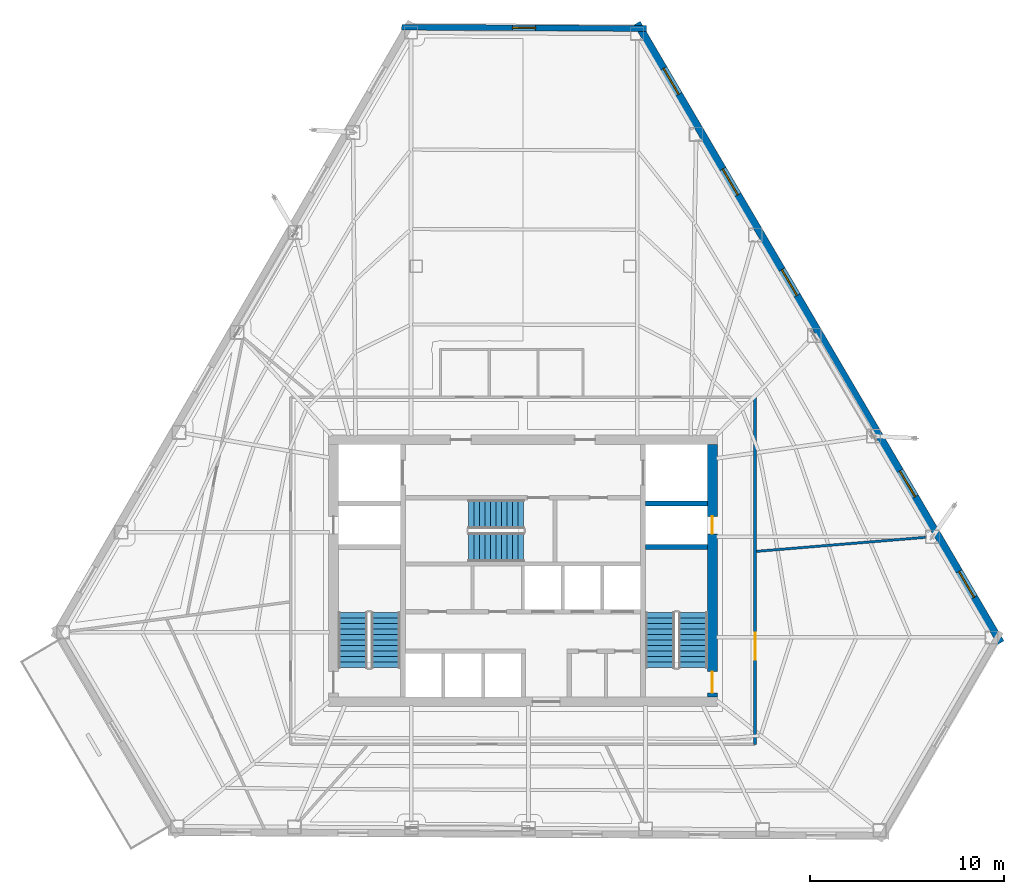
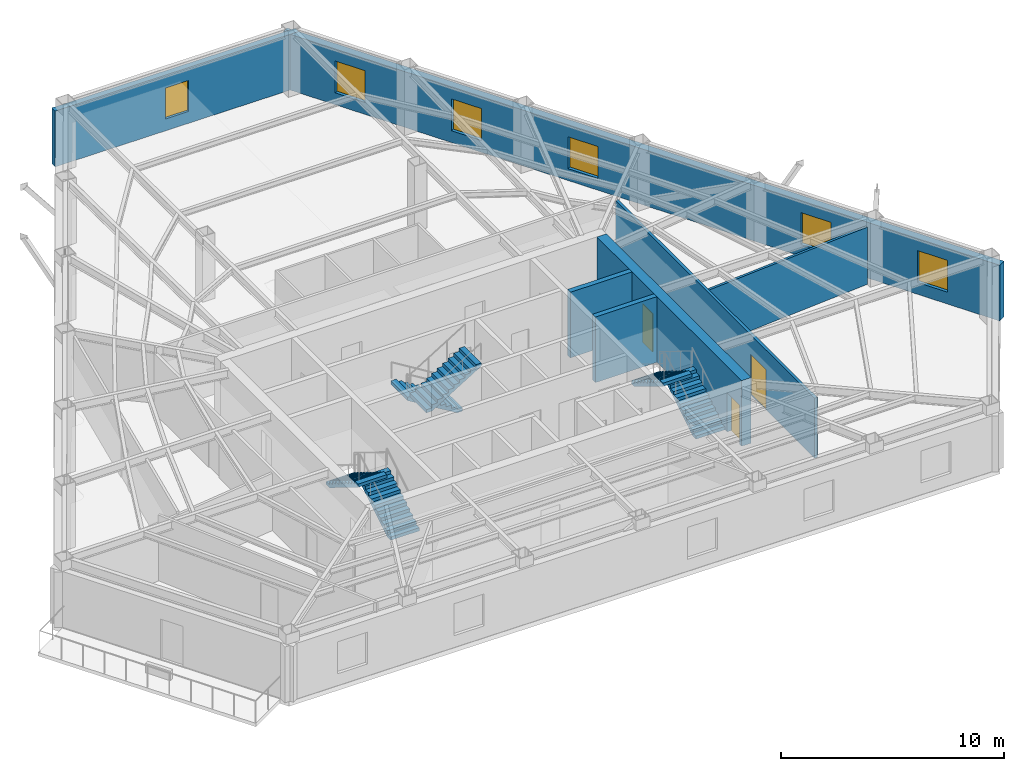
# One storey, part 9 of 13: 7 walls, 6 stair flights, 6 windows, 3 doors, 9 openings, 3 elements without a shape of their own.
"""IFC4 building model written with IfcOpenShell, lengths in metres."""

from ifc_helpers import new_model, si_unit, direction, frame, frame_2d, origin, place, context, subcontext, project, spatial, polyline, rectangle, outline, extrude, material, layer, layer_set, type_object, element, fill, aggregate, save


model = new_model("IFC4")

# Units and contexts
model_context = context("Model", 3, precision=1e-05, world=origin(), true_north=direction((0.0, 1.0)))
body_context = subcontext(model_context, "Body", "Model", "MODEL_VIEW")
ifc_project = project(units=[si_unit("LENGTHUNIT", "METRE"), si_unit("AREAUNIT", "SQUARE_METRE"), si_unit("VOLUMEUNIT", "CUBIC_METRE"), si_unit("PLANEANGLEUNIT", "RADIAN"), si_unit("MASSUNIT", "GRAM", prefix="KILO")], contexts=[model_context])

# Site, building, storey
site_placement = place(None, origin())
site = spatial("IfcSite", under=ifc_project, at=site_placement, CompositionType="ELEMENT")
building_placement = place(site_placement, origin())
building = spatial("IfcBuilding", under=site, at=building_placement, Name="Kavelnor Concourse Tower", CompositionType="ELEMENT")
storey_placement = place(building_placement, frame((0.0, 0.0, 124.0)))
storey = spatial("IfcBuildingStorey", under=building, at=storey_placement, Name="L31", CompositionType="ELEMENT", Elevation=124.0)

# Wall, openings, doors
ifc_material_1 = material(Name="Concrete C60/75", Category="concrete")
ifc_layer_1 = layer(ifc_material_1, 0.5, Name="Concrete C60/75")
ifc_layer_set_1 = layer_set([ifc_layer_1], Name="Concrete C60/75")
wall_type_1 = type_object("IfcWallType", Name="WL-CORE-Z2-500", PredefinedType="SOLIDWALL", material=ifc_layer_set_1)
wall_1_placement = place(storey_placement, frame((47.77001953125, 9.60009765625, 0.0), z_axis=(0.0, 0.0, 1.0), x_axis=(0.0, 1.0, 0.0)))
wall_1 = element("IfcWall", 1, at=wall_1_placement, inside=storey, type_object=wall_type_1, Name="L31 Central Core East Shear Wall", PredefinedType="SOLIDWALL", context=body_context, shape_type="SweptSolid", body=[
    extrude(rectangle(XDim=13.0, YDim=0.5, at=frame_2d((6.5, 0.0))), origin(), (0.0, 0.0, 1.0), 3.60009765625),
])
opening_1_placement = place(wall_1_placement, frame((0.199951171875, 0.0, 0.0)))
opening_1 = element("IfcOpeningElement", 2, at=opening_1_placement, cuts=wall_1, Name="Opening FD-110", PredefinedType="OPENING", context=body_context, shape_type="SweptSolid", body=[
    extrude(rectangle(XDim=1.10009765625, YDim=2.14990234375, at=frame_2d((0.550048828125, 1.074951171875))), frame((0.0, 0.260009765625, 0.0), z_axis=(0.0, -1.0, 0.0), x_axis=(1.0, 0.0, 0.0)), (0.0, 0.0, 1.0), 0.52001953125),
])
opening_2_placement = place(wall_1_placement, frame((8.39990234375, 0.0, 0.0)))
opening_2 = element("IfcOpeningElement", 3, at=opening_2_placement, cuts=wall_1, Name="Opening FD-090", PredefinedType="OPENING", context=body_context, shape_type="SweptSolid", body=[
    extrude(rectangle(XDim=0.89990234375, YDim=2.10009765625, at=frame_2d((0.449951171875, 1.050048828125))), frame((0.0, 0.260009765625, 0.0), z_axis=(0.0, -1.0, 0.0), x_axis=(1.0, 0.0, 0.0)), (0.0, 0.0, 1.0), 0.52001953125),
])
ifc_material_2 = material(Name="Steel Grade 350", Category="steel")
door_type_1 = type_object("IfcDoorType", Name="DR-RISER-FIRE-900", OperationType="NOTDEFINED", PredefinedType="DOOR", material=ifc_material_2)
door_1_placement = place(opening_2_placement, origin())
door_1 = element("IfcDoor", 4, at=door_1_placement, inside=storey, type_object=door_type_1, Name="L31 East Riser Access Door", OperationType="SINGLE_SWING_LEFT", OverallHeight=2.10009765625, OverallWidth=0.89990234375, PredefinedType="DOOR", context=body_context, shape_type="SweptSolid", body=[
    extrude(rectangle(XDim=0.89990234375, YDim=2.10009765625, at=frame_2d((0.449951171875, 1.050048828125))), frame((0.0, 0.02490234375, 0.0), z_axis=(0.0, -1.0, 0.0), x_axis=(1.0, 0.0, 0.0)), (0.0, 0.0, 1.0), 0.050048828125),
])
fill(opening_2, door_1)
door_type_2 = type_object("IfcDoorType", Name="DR-STAIR-FIRE-1100", OperationType="NOTDEFINED", PredefinedType="DOOR", material=ifc_material_2)
door_2_placement = place(opening_1_placement, origin())
door_2 = element("IfcDoor", 5, at=door_2_placement, inside=storey, type_object=door_type_2, Name="L31 Stair ST2 Fire Door", OperationType="SINGLE_SWING_RIGHT", OverallHeight=2.14990234375, OverallWidth=1.10009765625, PredefinedType="DOOR", context=body_context, shape_type="SweptSolid", body=[
    extrude(rectangle(XDim=1.10009765625, YDim=2.14990234375, at=frame_2d((0.550048828125, 1.074951171875))), frame((0.0, 0.02490234375, 0.0), z_axis=(0.0, -1.0, 0.0), x_axis=(1.0, 0.0, 0.0)), (0.0, 0.0, 1.0), 0.050048828125),
])
fill(opening_1, door_2)

# Wall, opening, window
ifc_material_3 = material(Name="Buff ironspot clay face brick masonry", Category="masonry")
ifc_layer_2 = layer(ifc_material_3, 0.300048828125, Name="Buff ironspot clay face brick masonry")
ifc_layer_set_2 = layer_set([ifc_layer_2], Name="Buff ironspot clay face brick masonry")
wall_type_2 = type_object("IfcWallType", Name="WL-EXT-BUFF-BRICK-FOLD-300", PredefinedType="STANDARD", material=ifc_layer_set_2)
wall_2_placement = place(storey_placement, frame((31.7490234375, 44.12646484375, 0.0), z_axis=(0.0, 0.0, 1.0), x_axis=(0.999985625996, -0.005361697542, 0.0)))
wall_2 = element("IfcWall", 6, at=wall_2_placement, inside=storey, type_object=wall_type_2, Name="L31 Exterior Brick Facade Wall E0", PredefinedType="STANDARD", context=body_context, shape_type="SweptSolid", body=[
    extrude(rectangle(XDim=12.613037109375, YDim=0.300048828125, at=frame_2d((6.306640625, 0.0))), origin(), (0.0, 0.0, 1.0), 3.05908203125),
])
opening_3_placement = place(wall_2_placement, frame((5.70654296875, 0.0, 0.64990234375)))
opening_3 = element("IfcOpeningElement", 7, at=opening_3_placement, cuts=wall_2, Name="Opening W-05", PredefinedType="OPENING", context=body_context, shape_type="SweptSolid", body=[
    extrude(rectangle(XDim=1.199951171875, YDim=1.699951171875, at=frame_2d((0.60009765625, 0.85009765625))), frame((0.0, 0.16015625, 0.0), z_axis=(0.0, -1.0, 0.0), x_axis=(1.0, 0.0, 0.0)), (0.0, 0.0, 1.0), 0.320068359375),
])
ifc_material_4 = material(Name="Double low-E argon insulated glazing", Category="glass")
window_type_1 = type_object("IfcWindowType", Name="WIN-FOLD-1200", PartitioningType="SINGLE_PANEL", PredefinedType="WINDOW", material=ifc_material_4)
window_1_placement = place(opening_3_placement, origin())
window_1 = element("IfcWindow", 8, at=window_1_placement, inside=storey, type_object=window_type_1, Name="L31 Chamfer-Fold Facet Window C0", OverallHeight=1.699951171875, OverallWidth=1.199951171875, PartitioningType="SINGLE_PANEL", PredefinedType="WINDOW", context=body_context, shape_type="SweptSolid", body=[
    extrude(rectangle(XDim=1.199951171875, YDim=1.699951171875, at=frame_2d((0.60009765625, 0.85009765625))), frame((0.0, 0.030029296875, 0.0), z_axis=(0.0, -1.0, 0.0), x_axis=(1.0, 0.0, 0.0)), (0.0, 0.0, 1.0), 0.06005859375),
])
fill(opening_3, window_1)

# Wall, openings, windows
ifc_material_5 = material(Name="Red-ochre clay face brick masonry", Category="masonry")
ifc_layer_3 = layer(ifc_material_5, 0.3798828125, Name="Red-ochre clay face brick masonry")
ifc_layer_set_3 = layer_set([ifc_layer_3], Name="Red-ochre clay face brick masonry")
wall_type_3 = type_object("IfcWallType", Name="WL-EXT-RED-BRICK-PIER-380", PredefinedType="STANDARD", material=ifc_layer_set_3)
wall_3_placement = place(storey_placement, frame((43.880615234375, 44.336181640625, 0.0), z_axis=(0.0, 0.0, 1.0), x_axis=(0.506335448268, -0.862336601234, 0.0)))
wall_3 = element("IfcWall", 9, at=wall_3_placement, inside=storey, type_object=wall_type_3, Name="L31 Exterior Brick Facade Wall E5", PredefinedType="STANDARD", context=body_context, shape_type="SweptSolid", body=[
    extrude(rectangle(XDim=37.049560546875, YDim=0.3798828125, at=frame_2d((18.52490234375, 0.0))), origin(), (0.0, 0.0, 1.0), 3.05908203125),
])
opening_4_placement = place(wall_3_placement, frame((32.786376953125, 0.0, 0.64990234375)))
opening_4 = element("IfcOpeningElement", 10, at=opening_4_placement, cuts=wall_3, Name="Opening W-02", PredefinedType="OPENING", context=body_context, shape_type="SweptSolid", body=[
    extrude(rectangle(XDim=1.550048828125, YDim=1.75, at=frame_2d((0.77490234375, 0.875))), frame((0.0, 0.199951171875, 0.0), z_axis=(0.0, -1.0, 0.0), x_axis=(1.0, 0.0, 0.0)), (0.0, 0.0, 1.0), 0.39990234375),
])
opening_5_placement = place(wall_3_placement, frame((26.770263671875, 0.0, 0.64990234375)))
opening_5 = element("IfcOpeningElement", 11, at=opening_5_placement, cuts=wall_3, Name="Opening W-02", PredefinedType="OPENING", context=body_context, shape_type="SweptSolid", body=[
    extrude(rectangle(XDim=1.550048828125, YDim=1.75, at=frame_2d((0.77490234375, 0.875))), frame((0.0, 0.199951171875, 0.0), z_axis=(0.0, -1.0, 0.0), x_axis=(1.0, 0.0, 0.0)), (0.0, 0.0, 1.0), 0.39990234375),
])
opening_6_placement = place(wall_3_placement, frame((14.73828125, 0.0, 0.64990234375)))
opening_6 = element("IfcOpeningElement", 12, at=opening_6_placement, cuts=wall_3, Name="Opening W-02", PredefinedType="OPENING", context=body_context, shape_type="SweptSolid", body=[
    extrude(rectangle(XDim=1.550048828125, YDim=1.75, at=frame_2d((0.77490234375, 0.875))), frame((0.0, 0.199951171875, 0.0), z_axis=(0.0, -1.0, 0.0), x_axis=(1.0, 0.0, 0.0)), (0.0, 0.0, 1.0), 0.39990234375),
])
opening_7_placement = place(wall_3_placement, frame((8.72216796875, 0.0, 0.64990234375)))
opening_7 = element("IfcOpeningElement", 13, at=opening_7_placement, cuts=wall_3, Name="Opening W-02", PredefinedType="OPENING", context=body_context, shape_type="SweptSolid", body=[
    extrude(rectangle(XDim=1.550048828125, YDim=1.75, at=frame_2d((0.77490234375, 0.875))), frame((0.0, 0.199951171875, 0.0), z_axis=(0.0, -1.0, 0.0), x_axis=(1.0, 0.0, 0.0)), (0.0, 0.0, 1.0), 0.39990234375),
])
opening_8_placement = place(wall_3_placement, frame((2.7060546875, 0.0, 0.64990234375)))
opening_8 = element("IfcOpeningElement", 14, at=opening_8_placement, cuts=wall_3, Name="Opening W-02", PredefinedType="OPENING", context=body_context, shape_type="SweptSolid", body=[
    extrude(rectangle(XDim=1.550048828125, YDim=1.75, at=frame_2d((0.77490234375, 0.875))), frame((0.0, 0.199951171875, 0.0), z_axis=(0.0, -1.0, 0.0), x_axis=(1.0, 0.0, 0.0)), (0.0, 0.0, 1.0), 0.39990234375),
])
window_type_2 = type_object("IfcWindowType", Name="WIN-PIER-Z2-1650", PartitioningType="SINGLE_PANEL", PredefinedType="WINDOW", material=ifc_material_4)
window_2_placement = place(opening_4_placement, origin())
window_2 = element("IfcWindow", 15, at=window_2_placement, inside=storey, type_object=window_type_2, Name="L31 Deep-Set Brick Pier Window F2-B0", OverallHeight=1.75, OverallWidth=1.550048828125, PartitioningType="SINGLE_PANEL", PredefinedType="WINDOW", context=body_context, shape_type="SweptSolid", body=[
    extrude(rectangle(XDim=1.550048828125, YDim=1.75, at=frame_2d((0.77490234375, 0.875))), frame((0.0, 0.030029296875, 0.0), z_axis=(0.0, -1.0, 0.0), x_axis=(1.0, 0.0, 0.0)), (0.0, 0.0, 1.0), 0.06005859375),
])
fill(opening_4, window_2)
window_3_placement = place(opening_5_placement, origin())
window_3 = element("IfcWindow", 16, at=window_3_placement, inside=storey, type_object=window_type_2, Name="L31 Deep-Set Brick Pier Window F2-B1", OverallHeight=1.75, OverallWidth=1.550048828125, PartitioningType="SINGLE_PANEL", PredefinedType="WINDOW", context=body_context, shape_type="SweptSolid", body=[
    extrude(rectangle(XDim=1.550048828125, YDim=1.75, at=frame_2d((0.77490234375, 0.875))), frame((0.0, 0.030029296875, 0.0), z_axis=(0.0, -1.0, 0.0), x_axis=(1.0, 0.0, 0.0)), (0.0, 0.0, 1.0), 0.06005859375),
])
fill(opening_5, window_3)
window_4_placement = place(opening_6_placement, origin())
window_4 = element("IfcWindow", 17, at=window_4_placement, inside=storey, type_object=window_type_2, Name="L31 Deep-Set Brick Pier Window F2-B3", OverallHeight=1.75, OverallWidth=1.550048828125, PartitioningType="SINGLE_PANEL", PredefinedType="WINDOW", context=body_context, shape_type="SweptSolid", body=[
    extrude(rectangle(XDim=1.550048828125, YDim=1.75, at=frame_2d((0.77490234375, 0.875))), frame((0.0, 0.030029296875, 0.0), z_axis=(0.0, -1.0, 0.0), x_axis=(1.0, 0.0, 0.0)), (0.0, 0.0, 1.0), 0.06005859375),
])
fill(opening_6, window_4)
window_5_placement = place(opening_7_placement, origin())
window_5 = element("IfcWindow", 18, at=window_5_placement, inside=storey, type_object=window_type_2, Name="L31 Deep-Set Brick Pier Window F2-B4", OverallHeight=1.75, OverallWidth=1.550048828125, PartitioningType="SINGLE_PANEL", PredefinedType="WINDOW", context=body_context, shape_type="SweptSolid", body=[
    extrude(rectangle(XDim=1.550048828125, YDim=1.75, at=frame_2d((0.77490234375, 0.875))), frame((0.0, 0.030029296875, 0.0), z_axis=(0.0, -1.0, 0.0), x_axis=(1.0, 0.0, 0.0)), (0.0, 0.0, 1.0), 0.06005859375),
])
fill(opening_7, window_5)
window_6_placement = place(opening_8_placement, origin())
window_6 = element("IfcWindow", 19, at=window_6_placement, inside=storey, type_object=window_type_2, Name="L31 Deep-Set Brick Pier Window F2-B5", OverallHeight=1.75, OverallWidth=1.550048828125, PartitioningType="SINGLE_PANEL", PredefinedType="WINDOW", context=body_context, shape_type="SweptSolid", body=[
    extrude(rectangle(XDim=1.550048828125, YDim=1.75, at=frame_2d((0.77490234375, 0.875))), frame((0.0, 0.030029296875, 0.0), z_axis=(0.0, -1.0, 0.0), x_axis=(1.0, 0.0, 0.0)), (0.0, 0.0, 1.0), 0.06005859375),
])
fill(opening_8, window_6)

# Wall, opening, door
ifc_material_6 = material(Name="Gypsum plasterboard on light-gauge steel studs", Category="steel")
ifc_layer_4 = layer(ifc_material_6, 0.14501953125, Name="Gypsum plasterboard on light-gauge steel studs")
ifc_layer_set_4 = layer_set([ifc_layer_4], Name="Gypsum plasterboard on light-gauge steel studs")
wall_type_4 = type_object("IfcWallType", Name="WL-INT-CORR-145", PredefinedType="PARTITIONING", material=ifc_layer_set_4)
wall_4_placement = place(storey_placement, frame((49.969970703125, 7.14990234375, 0.0), z_axis=(0.0, 0.0, 1.0), x_axis=(0.0, 1.0, 0.0)))
wall_4 = element("IfcWall", 20, at=wall_4_placement, inside=storey, type_object=wall_type_4, Name="L31 Corridor Wall WL-L31-CR-01", PredefinedType="PARTITIONING", context=body_context, shape_type="SweptSolid", body=[
    extrude(rectangle(XDim=17.900146484375, YDim=0.14501953125, at=frame_2d((8.9501953125, 0.0))), origin(), (0.0, 0.0, 1.0), 3.2880859375),
])
opening_9_placement = place(wall_4_placement, frame((4.360595703125, 0.0, 0.0)))
opening_9 = element("IfcOpeningElement", 21, at=opening_9_placement, cuts=wall_4, Name="Opening SD-140", PredefinedType="OPENING", context=body_context, shape_type="SweptSolid", body=[
    extrude(rectangle(XDim=1.39990234375, YDim=2.199951171875, at=frame_2d((0.699951171875, 1.10009765625))), frame((0.0, 0.08251953125, 0.0), z_axis=(0.0, -1.0, 0.0), x_axis=(1.0, 0.0, 0.0)), (0.0, 0.0, 1.0), 0.1650390625),
])
ifc_material_7 = material(Name="Solid-core hardwood timber", Category="wood")
door_type_3 = type_object("IfcDoorType", Name="DR-SUITE-ENTRY-1400", OperationType="NOTDEFINED", PredefinedType="DOOR", material=ifc_material_7)
door_3_placement = place(opening_9_placement, origin())
door_3 = element("IfcDoor", 22, at=door_3_placement, inside=storey, type_object=door_type_3, Name="L31 Workplace Open Office 07 Door", OperationType="SINGLE_SWING_LEFT", OverallHeight=2.199951171875, OverallWidth=1.39990234375, PredefinedType="DOOR", context=body_context, shape_type="SweptSolid", body=[
    extrude(rectangle(XDim=1.39990234375, YDim=2.199951171875, at=frame_2d((0.699951171875, 1.10009765625))), frame((0.0, 0.02490234375, 0.0), z_axis=(0.0, -1.0, 0.0), x_axis=(1.0, 0.0, 0.0)), (0.0, 0.0, 1.0), 0.050048828125),
])
fill(opening_9, door_3)

# Walls
ifc_layer_5 = layer(ifc_material_6, 0.125, Name="Gypsum plasterboard on light-gauge steel studs")
ifc_layer_set_5 = layer_set([ifc_layer_5], Name="Gypsum plasterboard on light-gauge steel studs")
wall_type_5 = type_object("IfcWallType", Name="WL-INT-SUITE-125", PredefinedType="PARTITIONING", material=ifc_layer_set_5)
wall_5_placement = place(storey_placement, frame((50.050537109375, 17.099853515625, 0.0), z_axis=(0.0, 0.0, 1.0), x_axis=(0.996574437833, 0.082700603729, 0.0)))
element("IfcWall", 23, at=wall_5_placement, inside=storey, type_object=wall_type_5, Name="L31 Radial Suite Partition 01", PredefinedType="PARTITIONING", context=body_context, shape_type="SweptSolid", body=[
    extrude(rectangle(XDim=8.729248046875, YDim=0.125, at=frame_2d((4.36474609375, 0.0))), origin(), (0.0, 0.0, 1.0), 3.14111328125),
])
ifc_material_8 = material(Name="Concrete C50/60", Category="concrete")
ifc_layer_6 = layer(ifc_material_8, 0.260009765625, Name="Concrete C50/60")
ifc_layer_set_6 = layer_set([ifc_layer_6], Name="Concrete C50/60")
wall_type_6 = type_object("IfcWallType", Name="WL-SHAFT-260", PredefinedType="SHEAR", material=ifc_layer_set_6)
for number, where, z_axis, x_axis, name in (
    (24, (44.320068359375, 17.330078125, 0.0), (0.0, 0.0, 1.0), (1.0, 0.0, 0.0), "L31 Stair ST2 North Shaft Wall"),
    (25, (44.320068359375, 19.570068359375, 0.0), (0.0, 0.0, 1.0), (1.0, 0.0, 0.0), "L31 Emergency Lift FL2 South Shaft Wall"),
):
    element("IfcWall", number, at=place(storey_placement, frame(where, z_axis=z_axis, x_axis=x_axis)), inside=storey, type_object=wall_type_6, Name=name, PredefinedType="SHEAR", context=body_context, shape_type="SweptSolid", body=[
        extrude(rectangle(XDim=3.199951171875, YDim=0.260009765625, at=frame_2d((1.60009765625, 0.0))), origin(), (0.0, 0.0, 1.0), 3.60009765625),
    ])

# Stair, stair flights
ifc_material_9 = material(Name="Concrete C40/50", Category="concrete")
stair_type = type_object("IfcStairType", Name="STR-CORE-1500", PredefinedType="HALF_TURN_STAIR", material=ifc_material_9)
stair_1_placement = place(storey_placement, origin())
stair_1 = element("IfcStair", 26, at=stair_1_placement, inside=storey, type_object=stair_type, Name="L31 ST1", PredefinedType="HALF_TURN_STAIR")
stair_flight_type = type_object("IfcStairFlightType", Name="STR-FLIGHT-1500", PredefinedType="STRAIGHT", material=ifc_material_9)
stair_flight_1_placement = place(storey_placement, frame((30.929931640625, 11.10009765625, 0.0), z_axis=(0.0, 0.0, 1.0), x_axis=(0.0, 1.0, 0.0)))
stair_flight_1 = element("IfcStairFlight", 27, at=stair_flight_1_placement, type_object=stair_flight_type, Name="ST1 flight 1", NumberOfRisers=11, NumberOfTreads=10, PredefinedType="STRAIGHT", RiserHeight=0.175, TreadLength=0.285, context=body_context, shape_type="SweptSolid", body=[
    extrude(outline(polyline([(0.0, 0.0), (0.0, 0.175048828125), (0.284912109375, 0.175048828125), (0.284912109375, 0.35009765625), (0.570068359375, 0.35009765625), (0.570068359375, 0.52490234375), (0.85498046875, 0.52490234375), (0.85498046875, 0.699951171875), (1.139892578125, 0.699951171875), (1.139892578125, 0.875), (1.425048828125, 0.875), (1.425048828125, 1.050048828125), (1.7099609375, 1.050048828125), (1.7099609375, 1.22509765625), (1.9951171875, 1.22509765625), (1.9951171875, 1.39990234375), (2.280029296875, 1.39990234375), (2.280029296875, 1.574951171875), (2.56494140625, 1.574951171875), (2.56494140625, 1.75), (2.85009765625, 1.75), (2.85009765625, 1.925048828125), (2.85009765625, 1.573974609375), (0.286376953125, 0.0), (0.0, 0.0)])), frame((0.0, 0.75, 0.0), z_axis=(0.0, -1.0, 0.0), x_axis=(1.0, 0.0, 0.0)), (0.0, 0.0, 1.0), 1.5),
])
stair_flight_2_placement = place(storey_placement, frame((29.22998046875, 13.949951171875, 1.925048828125), z_axis=(0.0, 0.0, 1.0), x_axis=(0.0, -1.0, 0.0)))
stair_flight_2 = element("IfcStairFlight", 28, at=stair_flight_2_placement, type_object=stair_flight_type, Name="ST1 flight 2", NumberOfRisers=11, NumberOfTreads=10, PredefinedType="STRAIGHT", RiserHeight=0.175, TreadLength=0.285, context=body_context, shape_type="SweptSolid", body=[
    extrude(outline(polyline([(0.0, 0.0), (0.0, 0.175048828125), (0.284912109375, 0.175048828125), (0.284912109375, 0.35009765625), (0.570068359375, 0.35009765625), (0.570068359375, 0.52490234375), (0.85498046875, 0.52490234375), (0.85498046875, 0.699951171875), (1.139892578125, 0.699951171875), (1.139892578125, 0.875), (1.425048828125, 0.875), (1.425048828125, 1.050048828125), (1.7099609375, 1.050048828125), (1.7099609375, 1.22509765625), (1.9951171875, 1.22509765625), (1.9951171875, 1.39990234375), (2.280029296875, 1.39990234375), (2.280029296875, 1.574951171875), (2.56494140625, 1.574951171875), (2.56494140625, 1.75), (2.85009765625, 1.75), (2.85009765625, 1.925048828125), (2.85009765625, 1.573974609375), (0.286376953125, 0.0), (0.0, 0.0)])), frame((0.0, 0.75, 0.0), z_axis=(0.0, -1.0, 0.0), x_axis=(1.0, 0.0, 0.0)), (0.0, 0.0, 1.0), 1.5),
])
aggregate(stair_1, [stair_flight_1, stair_flight_2])

stair_2_placement = place(storey_placement, origin())
stair_2 = element("IfcStair", 29, at=stair_2_placement, inside=storey, type_object=stair_type, Name="L31 ST2", PredefinedType="HALF_TURN_STAIR")
stair_flight_3_placement = place(storey_placement, frame((46.77001953125, 11.10009765625, 0.0), z_axis=(0.0, 0.0, 1.0), x_axis=(0.0, 1.0, 0.0)))
stair_flight_3 = element("IfcStairFlight", 30, at=stair_flight_3_placement, type_object=stair_flight_type, Name="ST2 flight 1", NumberOfRisers=11, NumberOfTreads=10, PredefinedType="STRAIGHT", RiserHeight=0.175, TreadLength=0.285, context=body_context, shape_type="SweptSolid", body=[
    extrude(outline(polyline([(0.0, 0.0), (0.0, 0.175048828125), (0.284912109375, 0.175048828125), (0.284912109375, 0.35009765625), (0.570068359375, 0.35009765625), (0.570068359375, 0.52490234375), (0.85498046875, 0.52490234375), (0.85498046875, 0.699951171875), (1.139892578125, 0.699951171875), (1.139892578125, 0.875), (1.425048828125, 0.875), (1.425048828125, 1.050048828125), (1.7099609375, 1.050048828125), (1.7099609375, 1.22509765625), (1.9951171875, 1.22509765625), (1.9951171875, 1.39990234375), (2.280029296875, 1.39990234375), (2.280029296875, 1.574951171875), (2.56494140625, 1.574951171875), (2.56494140625, 1.75), (2.85009765625, 1.75), (2.85009765625, 1.925048828125), (2.85009765625, 1.573974609375), (0.286376953125, 0.0), (0.0, 0.0)])), frame((0.0, 0.75, 0.0), z_axis=(0.0, -1.0, 0.0), x_axis=(1.0, 0.0, 0.0)), (0.0, 0.0, 1.0), 1.5),
])
stair_flight_4_placement = place(storey_placement, frame((45.070068359375, 13.949951171875, 1.925048828125), z_axis=(0.0, 0.0, 1.0), x_axis=(0.0, -1.0, 0.0)))
stair_flight_4 = element("IfcStairFlight", 31, at=stair_flight_4_placement, type_object=stair_flight_type, Name="ST2 flight 2", NumberOfRisers=11, NumberOfTreads=10, PredefinedType="STRAIGHT", RiserHeight=0.175, TreadLength=0.285, context=body_context, shape_type="SweptSolid", body=[
    extrude(outline(polyline([(0.0, 0.0), (0.0, 0.175048828125), (0.284912109375, 0.175048828125), (0.284912109375, 0.35009765625), (0.570068359375, 0.35009765625), (0.570068359375, 0.52490234375), (0.85498046875, 0.52490234375), (0.85498046875, 0.699951171875), (1.139892578125, 0.699951171875), (1.139892578125, 0.875), (1.425048828125, 0.875), (1.425048828125, 1.050048828125), (1.7099609375, 1.050048828125), (1.7099609375, 1.22509765625), (1.9951171875, 1.22509765625), (1.9951171875, 1.39990234375), (2.280029296875, 1.39990234375), (2.280029296875, 1.574951171875), (2.56494140625, 1.574951171875), (2.56494140625, 1.75), (2.85009765625, 1.75), (2.85009765625, 1.925048828125), (2.85009765625, 1.573974609375), (0.286376953125, 0.0), (0.0, 0.0)])), frame((0.0, 0.75, 0.0), z_axis=(0.0, -1.0, 0.0), x_axis=(1.0, 0.0, 0.0)), (0.0, 0.0, 1.0), 1.5),
])
aggregate(stair_2, [stair_flight_3, stair_flight_4])

stair_3_placement = place(storey_placement, origin())
stair_3 = element("IfcStair", 32, at=stair_3_placement, inside=storey, type_object=stair_type, Name="L31 ST3", PredefinedType="HALF_TURN_STAIR")
stair_flight_5_placement = place(storey_placement, frame((38.0400390625, 19.010009765625, 0.0), z_axis=(0.0, 0.0, 1.0), x_axis=(-1.0, 0.0, 0.0)))
stair_flight_5 = element("IfcStairFlight", 33, at=stair_flight_5_placement, type_object=stair_flight_type, Name="ST3 flight 1", NumberOfRisers=11, NumberOfTreads=10, PredefinedType="STRAIGHT", RiserHeight=0.175, TreadLength=0.285, context=body_context, shape_type="SweptSolid", body=[
    extrude(outline(polyline([(0.0, 0.0), (0.0, 0.175048828125), (0.284912109375, 0.175048828125), (0.284912109375, 0.35009765625), (0.570068359375, 0.35009765625), (0.570068359375, 0.52490234375), (0.85498046875, 0.52490234375), (0.85498046875, 0.699951171875), (1.139892578125, 0.699951171875), (1.139892578125, 0.875), (1.425048828125, 0.875), (1.425048828125, 1.050048828125), (1.7099609375, 1.050048828125), (1.7099609375, 1.22509765625), (1.9951171875, 1.22509765625), (1.9951171875, 1.39990234375), (2.280029296875, 1.39990234375), (2.280029296875, 1.574951171875), (2.56494140625, 1.574951171875), (2.56494140625, 1.75), (2.85009765625, 1.75), (2.85009765625, 1.925048828125), (2.85009765625, 1.573974609375), (0.286376953125, 0.0), (0.0, 0.0)])), frame((0.0, 0.75, 0.0), z_axis=(0.0, -1.0, 0.0), x_axis=(1.0, 0.0, 0.0)), (0.0, 0.0, 1.0), 1.5),
])
stair_flight_6_placement = place(storey_placement, frame((35.18994140625, 17.31005859375, 1.925048828125), z_axis=(0.0, 0.0, 1.0), x_axis=(1.0, 0.0, 0.0)))
stair_flight_6 = element("IfcStairFlight", 34, at=stair_flight_6_placement, type_object=stair_flight_type, Name="ST3 flight 2", NumberOfRisers=11, NumberOfTreads=10, PredefinedType="STRAIGHT", RiserHeight=0.175, TreadLength=0.285, context=body_context, shape_type="SweptSolid", body=[
    extrude(outline(polyline([(0.0, 0.0), (0.0, 0.175048828125), (0.284912109375, 0.175048828125), (0.284912109375, 0.35009765625), (0.570068359375, 0.35009765625), (0.570068359375, 0.52490234375), (0.85498046875, 0.52490234375), (0.85498046875, 0.699951171875), (1.139892578125, 0.699951171875), (1.139892578125, 0.875), (1.425048828125, 0.875), (1.425048828125, 1.050048828125), (1.7099609375, 1.050048828125), (1.7099609375, 1.22509765625), (1.9951171875, 1.22509765625), (1.9951171875, 1.39990234375), (2.280029296875, 1.39990234375), (2.280029296875, 1.574951171875), (2.56494140625, 1.574951171875), (2.56494140625, 1.75), (2.85009765625, 1.75), (2.85009765625, 1.925048828125), (2.85009765625, 1.573974609375), (0.286376953125, 0.0), (0.0, 0.0)])), frame((0.0, 0.75, 0.0), z_axis=(0.0, -1.0, 0.0), x_axis=(1.0, 0.0, 0.0)), (0.0, 0.0, 1.0), 1.5),
])
aggregate(stair_3, [stair_flight_5, stair_flight_6])

save(model, "model.ifc")
